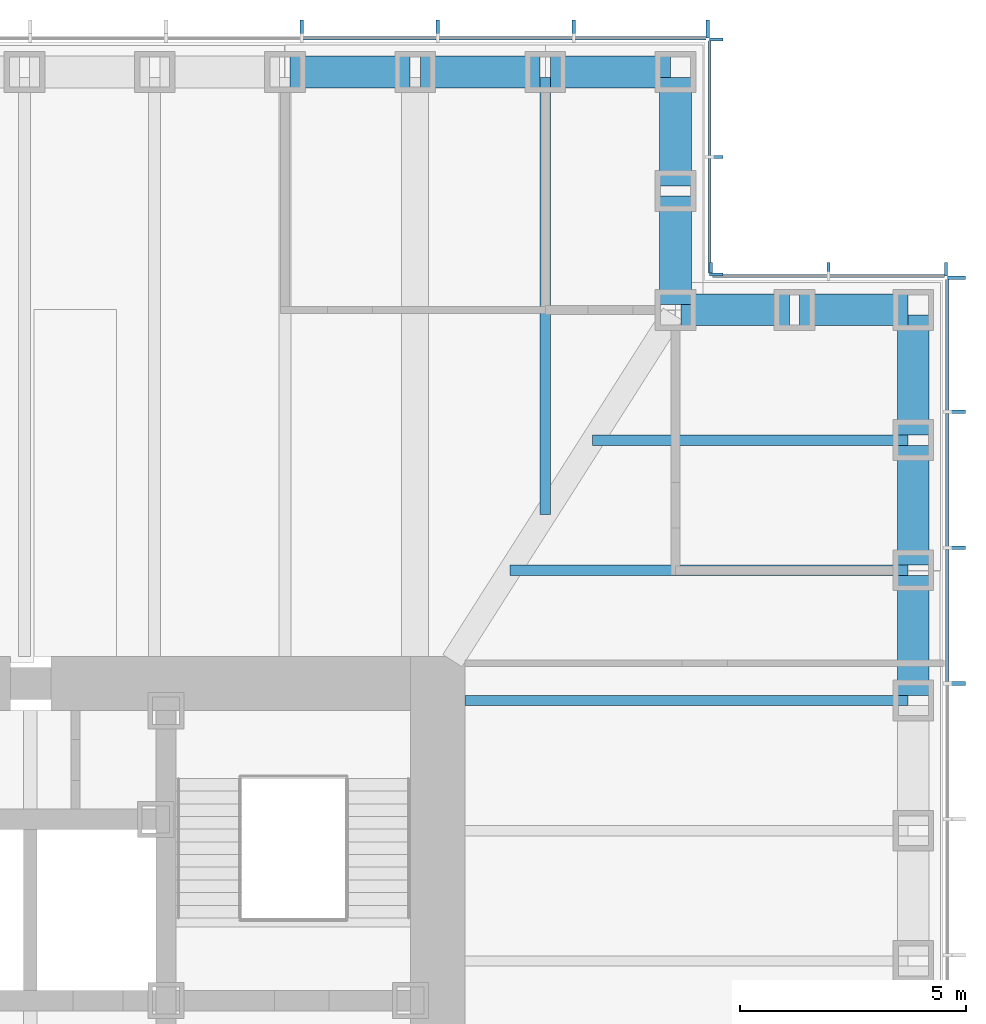
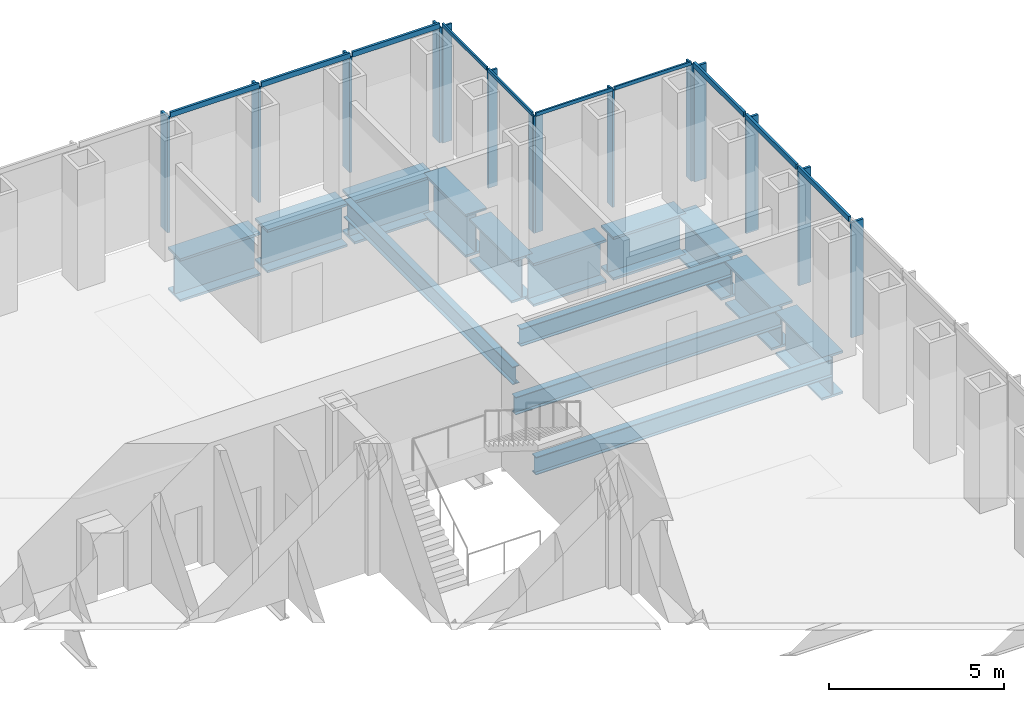
# One storey, part 6 of 17: 24 members, 14 beams, 4 elements without a shape of their own.
"""IFC4 building model written with IfcOpenShell, lengths in metres."""

import ifcopenshell
import ifcopenshell.guid

model = None  # the IFC model being written
_history = None  # IfcOwnerHistory: only IFC2X3 demands one
_inside = {}  # id of a spatial element -> (the spatial element, [elements in it])
_under = {}  # id of a project, library or spatial element -> (it, [spatial elements below it])
_declared = {}  # id of a project -> (the project, [libraries it declares])
_typed = {}  # id of a type object -> (the type object, [elements of that type])
_made_of = {}  # id of a material, layer set ... -> (it, [elements and type objects made of it])


def new_model(schema):
    """Start an empty IFC model of exactly this schema.

    Asked for "IFC4X3", IfcOpenShell would pick the latest addendum, in which some entities
    have other attributes; the version numbers below select the first issue.
    IFC2X3 requires an IfcOwnerHistory on every rooted entity: one is made here for all.
    """
    global model, _history
    if schema == "IFC4X3":
        model = ifcopenshell.file(schema_version=(4, 3, 0, 0))
    else:
        model = ifcopenshell.file(schema=schema)
    _inside.clear()
    _under.clear()
    _declared.clear()
    _typed.clear()
    _made_of.clear()
    _history = None
    if model.schema == "IFC2X3":
        org = make("IfcOrganization", Name="unknown")
        user = make(
            "IfcPersonAndOrganization",
            ThePerson=make("IfcPerson", FamilyName="unknown"),
            TheOrganization=org,
        )
        app = make(
            "IfcApplication",
            ApplicationDeveloper=org,
            Version="unknown",
            ApplicationFullName="unknown",
            ApplicationIdentifier="unknown",
        )
        _history = make(
            "IfcOwnerHistory",
            OwningUser=user,
            OwningApplication=app,
            ChangeAction="ADDED",
            CreationDate=0,
        )
    return model


def make(cls, **values):
    """One entity of the class cls with the attributes given. An attribute that is None is left unset."""
    return model.create_entity(
        cls, **{name: value for name, value in values.items() if value is not None}
    )


def rooted(cls, **values):
    """An entity with a GlobalId (a new one), such as an element, a storey or a relation."""
    return make(cls, GlobalId=ifcopenshell.guid.new(), OwnerHistory=_history, **values)


def si_unit(unit_type, name, prefix=None):
    """IfcSIUnit, for example si_unit("LENGTHUNIT", "METRE", prefix="MILLI")."""
    return make("IfcSIUnit", UnitType=unit_type, Prefix=prefix, Name=name)


def assignment(units):
    """IfcUnitAssignment: the units of a project."""
    return None if units is None else make("IfcUnitAssignment", Units=units)


def point(xyz):
    """IfcCartesianPoint."""
    return None if xyz is None else make("IfcCartesianPoint", Coordinates=xyz)


def direction(xyz):
    """IfcDirection."""
    return None if xyz is None else make("IfcDirection", DirectionRatios=xyz)


def frame(location, z_axis=None, x_axis=None):
    """IfcAxis2Placement3D, a coordinate frame: its origin and axes. An axis left out is left unset."""
    return make(
        "IfcAxis2Placement3D",
        Location=point(location),
        Axis=direction(z_axis),
        RefDirection=direction(x_axis),
    )


def frame_2d(location, x_axis=None):
    """IfcAxis2Placement2D, a coordinate frame in the plane: its origin and x axis."""
    return make(
        "IfcAxis2Placement2D", Location=point(location), RefDirection=direction(x_axis)
    )


def origin():
    """The frame at (0, 0, 0) with its axes left unset."""
    return frame((0.0, 0.0, 0.0))


def origin_2d():
    """The frame at (0, 0) in the plane with its x axis left unset."""
    return frame_2d((0.0, 0.0))


def place(relative_to, where):
    """IfcLocalPlacement: puts the frame where relative to a parent placement (None: the world)."""
    return make(
        "IfcLocalPlacement", PlacementRelTo=relative_to, RelativePlacement=where
    )


def context(
    kind, dimensions, precision=None, world=None, true_north=None, identifier=None
):
    """IfcGeometricRepresentationContext, for example the 3D "Model" context."""
    return make(
        "IfcGeometricRepresentationContext",
        ContextIdentifier=identifier,
        ContextType=kind,
        CoordinateSpaceDimension=dimensions,
        Precision=precision,
        WorldCoordinateSystem=world,
        TrueNorth=true_north,
    )


def subcontext(parent, identifier, kind, view, scale=None):
    """IfcGeometricRepresentationSubContext, for example "Body" below "Model"."""
    return make(
        "IfcGeometricRepresentationSubContext",
        ContextIdentifier=identifier,
        ContextType=kind,
        ParentContext=parent,
        TargetScale=scale,
        TargetView=view,
    )


def project(units=None, contexts=None):
    """IfcProject with its units and contexts."""
    return rooted(
        "IfcProject",
        Name="project",
        RepresentationContexts=contexts,
        UnitsInContext=assignment(units),
    )


def spatial(cls, under=None, at=None, **own):
    """A site, building, storey or space (cls), placed at a placement, below another one or the project."""
    s = rooted(cls, ObjectPlacement=at, **own)
    if under is not None:
        _under.setdefault(under.id(), (under, []))[1].append(s)
    return s


def profile(cls, at=None, kind="AREA", **sizes):
    """A parametric profile (cls). Its sizes go by their IFC names, for example OverallWidth=200.0."""
    return make(cls, ProfileType=kind, Position=at, **sizes)


def rectangle(**sizes):
    """IfcRectangleProfileDef."""
    return profile("IfcRectangleProfileDef", **sizes)


def i_section(**sizes):
    """IfcIShapeProfileDef."""
    return profile("IfcIShapeProfileDef", **sizes)


def extrude(swept, where, along, depth):
    """IfcExtrudedAreaSolid: the profile swept, set in the frame where, extruded along a direction by depth."""
    return make(
        "IfcExtrudedAreaSolid",
        SweptArea=swept,
        Position=where,
        ExtrudedDirection=direction(along),
        Depth=depth,
    )


def shape(context_of_items, identifier, shape_type, items):
    """IfcShapeRepresentation: the items that make up one representation, for example the "Body"."""
    return make(
        "IfcShapeRepresentation",
        ContextOfItems=context_of_items,
        RepresentationIdentifier=identifier,
        RepresentationType=shape_type,
        Items=items,
    )


def material(Name=None, Category=None):
    """IfcMaterial."""
    return make("IfcMaterial", Name=Name, Category=Category)


def material_profile(
    of_material, cross_section, Name=None, Category=None, Priority=None
):
    """IfcMaterialProfile: a cross section and its material."""
    return make(
        "IfcMaterialProfile",
        Name=Name,
        Material=of_material,
        Profile=cross_section,
        Priority=Priority,
        Category=Category,
    )


def profile_set(profiles, Name=None, composite=None):
    """IfcMaterialProfileSet."""
    return make(
        "IfcMaterialProfileSet",
        Name=Name,
        MaterialProfiles=profiles,
        CompositeProfile=composite,
    )


def made_of(thing, what):
    """Note that an element or type object is made of a material, layer set ...; save() writes the relation."""
    if what is not None:
        _made_of.setdefault(what.id(), (what, []))[1].append(thing)
    return thing


def type_object(cls, material=None, **own):
    """A type object (cls), such as IfcWallType, which elements share."""
    return made_of(rooted(cls, **own), material)


def element(
    cls,
    number,
    at=None,
    inside=None,
    cuts=None,
    type_object=None,
    material=None,
    context=None,
    identifier="Body",
    shape_type=None,
    held_by="IfcProductDefinitionShape",
    body=None,
    shapes=None,
    **own,
):
    """One element of the class cls, such as IfcWall. Its Tag is "e" and its number.

    at: its placement. inside: the storey or other place that contains it. cuts: it is an
    opening in that element (IfcRelVoidsElement). A single representation is given by context,
    identifier, shape_type and body (its items); several are given by shapes. held_by: the class
    of the entity that holds the representations. save() writes the other relations.
    """
    e = rooted(cls, Tag="e%d" % number, ObjectPlacement=at, **own)
    if body is not None:
        shapes = [shape(context, identifier, shape_type, body)]
    if shapes is not None:
        e.Representation = make(held_by, Representations=shapes)
    if inside is not None:
        _inside.setdefault(inside.id(), (inside, []))[1].append(e)
    if cuts is not None:
        rooted(
            "IfcRelVoidsElement", RelatingBuildingElement=cuts, RelatedOpeningElement=e
        )
    if type_object is not None:
        _typed.setdefault(type_object.id(), (type_object, []))[1].append(e)
    return made_of(e, material)


def aggregate(whole, parts):
    """IfcRelAggregates: a whole, such as a stair, and the parts it consists of."""
    return rooted("IfcRelAggregates", RelatingObject=whole, RelatedObjects=parts)


def save(model, path):
    """Write the relations noted so far, then the file.

    IfcRelAggregates (storeys below a building ...), IfcRelContainedInSpatialStructure (elements
    in a storey), IfcRelDefinesByType, IfcRelAssociatesMaterial and IfcRelDeclares: one each for
    every whole, place, type object, material and project.
    """
    for whole, parts in _under.values():
        aggregate(whole, parts)
    for where, things in _inside.values():
        rooted(
            "IfcRelContainedInSpatialStructure",
            RelatedElements=things,
            RelatingStructure=where,
        )
    for kind, things in _typed.values():
        rooted("IfcRelDefinesByType", RelatedObjects=things, RelatingType=kind)
    for what, things in _made_of.values():
        rooted("IfcRelAssociatesMaterial", RelatedObjects=things, RelatingMaterial=what)
    for by, libraries in _declared.values():
        rooted("IfcRelDeclares", RelatingContext=by, RelatedDefinitions=libraries)
    model.write(path)


model = new_model("IFC4")

# Units and contexts
model_context = context("Model", 3, precision=1e-05, world=origin(), true_north=direction((0.0, 1.0)))
body_context = subcontext(model_context, "Body", "Model", "MODEL_VIEW")
ifc_project = project(units=[si_unit("LENGTHUNIT", "METRE"), si_unit("AREAUNIT", "SQUARE_METRE"), si_unit("VOLUMEUNIT", "CUBIC_METRE"), si_unit("PLANEANGLEUNIT", "RADIAN"), si_unit("MASSUNIT", "GRAM", prefix="KILO")], contexts=[model_context])

# Site, building, storey
site_placement = place(None, origin())
site = spatial("IfcSite", under=ifc_project, at=site_placement, CompositionType="ELEMENT")
building_placement = place(site_placement, origin())
building = spatial("IfcBuilding", under=site, at=building_placement, Name="Daluyong Arena Tower", CompositionType="ELEMENT")
storey_placement = place(building_placement, frame((0.0, 0.0, 158.5)))
storey = spatial("IfcBuildingStorey", under=building, at=storey_placement, Name="L35", CompositionType="ELEMENT", Elevation=158.5)

# Curtain wall, members
ifc_material_1 = material(Name="Bronze anodised aluminium and glass", Category="aluminium")
curtain_wall_type_1 = type_object("IfcCurtainWallType", Name="Curtain wall CW2", PredefinedType="USERDEFINED", material=ifc_material_1)
curtain_wall_1_placement = place(storey_placement, origin())
curtain_wall_1 = element("IfcCurtainWall", 1, at=curtain_wall_1_placement, inside=storey, type_object=curtain_wall_type_1, Name="curtain wall L35 E", ObjectType="UNITISED CURTAIN WALL", PredefinedType="USERDEFINED")
ifc_material_2 = material(Name="Bronze anodised aluminium fin", Category="aluminium")
ifc_material_profile_1 = material_profile(ifc_material_2, rectangle(XDim=0.39990234375, YDim=0.080078125, at=origin_2d()))
ifc_profile_set_1 = profile_set([ifc_material_profile_1], Name="Bronze anodised aluminium fin")
member_type_1 = type_object("IfcMemberType", Name="CW2 bronze fin 400x80", PredefinedType="MULLION", material=ifc_profile_set_1)
member_1_placement = place(storey_placement, frame((79.449951171875, 89.0, 0.0), z_axis=(0.0, 0.0, 1.0), x_axis=(-1.0, 0.0, 0.0)))
member_1 = element("IfcMember", 2, at=member_1_placement, type_object=member_type_1, Name="curtain wall L35 E fin 10", PredefinedType="MULLION", context=body_context, shape_type="SweptSolid", body=[
    extrude(rectangle(XDim=0.39990234375, YDim=0.080078125, at=origin_2d()), origin(), (0.0, 0.0, 1.0), 4.02001953125),
])
member_2_placement = place(storey_placement, frame((79.449951171875, 92.0, 0.0), z_axis=(0.0, 0.0, 1.0), x_axis=(-1.0, 0.0, 0.0)))
member_2 = element("IfcMember", 3, at=member_2_placement, type_object=member_type_1, Name="curtain wall L35 E fin 11", PredefinedType="MULLION", context=body_context, shape_type="SweptSolid", body=[
    extrude(rectangle(XDim=0.39990234375, YDim=0.080078125, at=origin_2d()), origin(), (0.0, 0.0, 1.0), 4.02001953125),
])
member_3_placement = place(storey_placement, frame((79.449951171875, 95.0, 0.0), z_axis=(0.0, 0.0, 1.0), x_axis=(-1.0, 0.0, 0.0)))
member_3 = element("IfcMember", 4, at=member_3_placement, type_object=member_type_1, Name="curtain wall L35 E fin 12", PredefinedType="MULLION", context=body_context, shape_type="SweptSolid", body=[
    extrude(rectangle(XDim=0.39990234375, YDim=0.080078125, at=origin_2d()), origin(), (0.0, 0.0, 1.0), 4.02001953125),
])
member_4_placement = place(storey_placement, frame((79.449951171875, 97.9599609375, 0.0), z_axis=(0.0, 0.0, 1.0), x_axis=(-1.0, 0.0, 0.0)))
member_4 = element("IfcMember", 5, at=member_4_placement, type_object=member_type_1, Name="curtain wall L35 E fin 13", PredefinedType="MULLION", context=body_context, shape_type="SweptSolid", body=[
    extrude(rectangle(XDim=0.39990234375, YDim=0.080078125, at=origin_2d()), origin(), (0.0, 0.0, 1.0), 4.02001953125),
])

curtain_wall_2_placement = place(storey_placement, origin())
curtain_wall_2 = element("IfcCurtainWall", 6, at=curtain_wall_2_placement, inside=storey, type_object=curtain_wall_type_1, Name="curtain wall L35 N", ObjectType="UNITISED CURTAIN WALL", PredefinedType="USERDEFINED")
member_5_placement = place(storey_placement, frame((73.9599609375, 103.449951171875, 0.0), z_axis=(0.0, 0.0, 1.0), x_axis=(0.0, -1.0, 0.0)))
member_5 = element("IfcMember", 7, at=member_5_placement, type_object=member_type_1, Name="curtain wall L35 N fin 1", PredefinedType="MULLION", context=body_context, shape_type="SweptSolid", body=[
    extrude(rectangle(XDim=0.39990234375, YDim=0.080078125, at=origin_2d()), origin(), (0.0, 0.0, 1.0), 4.02001953125),
])
member_6_placement = place(storey_placement, frame((71.0, 103.449951171875, 0.0), z_axis=(0.0, 0.0, 1.0), x_axis=(0.0, -1.0, 0.0)))
member_6 = element("IfcMember", 8, at=member_6_placement, type_object=member_type_1, Name="curtain wall L35 N fin 2", PredefinedType="MULLION", context=body_context, shape_type="SweptSolid", body=[
    extrude(rectangle(XDim=0.39990234375, YDim=0.080078125, at=origin_2d()), origin(), (0.0, 0.0, 1.0), 4.02001953125),
])
member_7_placement = place(storey_placement, frame((68.0, 103.449951171875, 0.0), z_axis=(0.0, 0.0, 1.0), x_axis=(0.0, -1.0, 0.0)))
member_7 = element("IfcMember", 9, at=member_7_placement, type_object=member_type_1, Name="curtain wall L35 N fin 3", PredefinedType="MULLION", context=body_context, shape_type="SweptSolid", body=[
    extrude(rectangle(XDim=0.39990234375, YDim=0.080078125, at=origin_2d()), origin(), (0.0, 0.0, 1.0), 4.02001953125),
])
member_8_placement = place(storey_placement, frame((65.0, 103.449951171875, 0.0), z_axis=(0.0, 0.0, 1.0), x_axis=(0.0, -1.0, 0.0)))
member_8 = element("IfcMember", 10, at=member_8_placement, type_object=member_type_1, Name="curtain wall L35 N fin 4", PredefinedType="MULLION", context=body_context, shape_type="SweptSolid", body=[
    extrude(rectangle(XDim=0.39990234375, YDim=0.080078125, at=origin_2d()), origin(), (0.0, 0.0, 1.0), 4.02001953125),
])

# Member
ifc_material_3 = material(Name="Bronze anodised aluminium", Category="aluminium")
ifc_material_profile_2 = material_profile(ifc_material_3, rectangle(XDim=0.080078125, YDim=0.179931640625, at=origin_2d()))
ifc_profile_set_2 = profile_set([ifc_material_profile_2], Name="Bronze anodised aluminium")
member_type_2 = type_object("IfcMemberType", Name="CW2 stack transom 180x80", PredefinedType="USERDEFINED", material=ifc_profile_set_2)
member_9_placement = place(storey_placement, frame((79.25, 89.0400390625, 4.110107421875), z_axis=(0.0, 1.0, 0.0), x_axis=(-1.0, 0.0, 0.0)))
member_9 = element("IfcMember", 11, at=member_9_placement, type_object=member_type_2, Name="curtain wall L35 E transom 10", ObjectType="TRANSOM", PredefinedType="USERDEFINED", context=body_context, shape_type="SweptSolid", body=[
    extrude(rectangle(XDim=0.080078125, YDim=0.179931640625, at=origin_2d()), origin(), (0.0, 0.0, 1.0), 2.919921875),
])

member_10_placement = place(storey_placement, frame((79.25, 92.0400390625, 4.110107421875), z_axis=(0.0, 1.0, 0.0), x_axis=(-1.0, 0.0, 0.0)))
member_10 = element("IfcMember", 12, at=member_10_placement, type_object=member_type_2, Name="curtain wall L35 E transom 11", ObjectType="TRANSOM", PredefinedType="USERDEFINED", context=body_context, shape_type="SweptSolid", body=[
    extrude(rectangle(XDim=0.080078125, YDim=0.179931640625, at=origin_2d()), origin(), (0.0, 0.0, 1.0), 2.919921875),
])

member_11_placement = place(storey_placement, frame((79.25, 95.0400390625, 4.110107421875), z_axis=(0.0, 1.0, 0.0), x_axis=(-1.0, 0.0, 0.0)))
member_11 = element("IfcMember", 13, at=member_11_placement, type_object=member_type_2, Name="curtain wall L35 E transom 12", ObjectType="TRANSOM", PredefinedType="USERDEFINED", context=body_context, shape_type="SweptSolid", body=[
    extrude(rectangle(XDim=0.080078125, YDim=0.179931640625, at=origin_2d()), origin(), (0.0, 0.0, 1.0), 2.8798828125),
])

aggregate(curtain_wall_1, [member_1, member_2, member_3, member_4, member_9, member_10, member_11])

member_12_placement = place(storey_placement, frame((73.919921875, 103.25, 4.110107421875), z_axis=(-1.0, 0.0, 0.0), x_axis=(0.0, -1.0, 0.0)))
member_12 = element("IfcMember", 14, at=member_12_placement, type_object=member_type_2, Name="curtain wall L35 N transom 1", ObjectType="TRANSOM", PredefinedType="USERDEFINED", context=body_context, shape_type="SweptSolid", body=[
    extrude(rectangle(XDim=0.080078125, YDim=0.179931640625, at=origin_2d()), origin(), (0.0, 0.0, 1.0), 2.8798828125),
])

member_13_placement = place(storey_placement, frame((70.9599609375, 103.25, 4.110107421875), z_axis=(-1.0, 0.0, 0.0), x_axis=(0.0, -1.0, 0.0)))
member_13 = element("IfcMember", 15, at=member_13_placement, type_object=member_type_2, Name="curtain wall L35 N transom 2", ObjectType="TRANSOM", PredefinedType="USERDEFINED", context=body_context, shape_type="SweptSolid", body=[
    extrude(rectangle(XDim=0.080078125, YDim=0.179931640625, at=origin_2d()), origin(), (0.0, 0.0, 1.0), 2.919921875),
])

member_14_placement = place(storey_placement, frame((67.9599609375, 103.25, 4.110107421875), z_axis=(-1.0, 0.0, 0.0), x_axis=(0.0, -1.0, 0.0)))
member_14 = element("IfcMember", 16, at=member_14_placement, type_object=member_type_2, Name="curtain wall L35 N transom 3", ObjectType="TRANSOM", PredefinedType="USERDEFINED", context=body_context, shape_type="SweptSolid", body=[
    extrude(rectangle(XDim=0.080078125, YDim=0.179931640625, at=origin_2d()), origin(), (0.0, 0.0, 1.0), 2.919921875),
])

aggregate(curtain_wall_2, [member_5, member_6, member_7, member_8, member_12, member_13, member_14])

# Curtain wall, members
ifc_material_4 = material(Name="Bronze anodised aluminium and glass", Category="aluminium")
curtain_wall_type_2 = type_object("IfcCurtainWallType", Name="Curtain wall CW7", PredefinedType="USERDEFINED", material=ifc_material_4)
curtain_wall_3_placement = place(storey_placement, origin())
curtain_wall_3 = element("IfcCurtainWall", 17, at=curtain_wall_3_placement, inside=storey, type_object=curtain_wall_type_2, Name="curtain wall L35 NE-N", ObjectType="UNITISED CURTAIN WALL", PredefinedType="USERDEFINED")
ifc_material_5 = material(Name="Bronze anodised aluminium fin", Category="aluminium")
ifc_material_profile_3 = material_profile(ifc_material_5, rectangle(XDim=0.300048828125, YDim=0.06005859375, at=origin_2d()))
ifc_profile_set_3 = profile_set([ifc_material_profile_3], Name="Bronze anodised aluminium fin")
member_type_3 = type_object("IfcMemberType", Name="CW7 bronze fin 300x60", PredefinedType="MULLION", material=ifc_profile_set_3)
member_15_placement = place(storey_placement, frame((79.219970703125, 98.14990234375, 0.0), z_axis=(0.0, 0.0, 1.0), x_axis=(0.0, -1.0, 0.0)))
member_15 = element("IfcMember", 18, at=member_15_placement, type_object=member_type_3, Name="curtain wall L35 NE-N fin 1", PredefinedType="MULLION", context=body_context, shape_type="SweptSolid", body=[
    extrude(rectangle(XDim=0.300048828125, YDim=0.06005859375, at=origin_2d()), origin(), (0.0, 0.0, 1.0), 4.080078125),
])
member_16_placement = place(storey_placement, frame((76.625, 98.14990234375, 0.0), z_axis=(0.0, 0.0, 1.0), x_axis=(0.0, -1.0, 0.0)))
member_16 = element("IfcMember", 19, at=member_16_placement, type_object=member_type_3, Name="curtain wall L35 NE-N fin 2", PredefinedType="MULLION", context=body_context, shape_type="SweptSolid", body=[
    extrude(rectangle(XDim=0.300048828125, YDim=0.06005859375, at=origin_2d()), origin(), (0.0, 0.0, 1.0), 4.080078125),
])
member_17_placement = place(storey_placement, frame((74.030029296875, 98.14990234375, 0.0), z_axis=(0.0, 0.0, 1.0), x_axis=(0.0, -1.0, 0.0)))
member_17 = element("IfcMember", 20, at=member_17_placement, type_object=member_type_3, Name="curtain wall L35 NE-N fin 3", PredefinedType="MULLION", context=body_context, shape_type="SweptSolid", body=[
    extrude(rectangle(XDim=0.300048828125, YDim=0.06005859375, at=origin_2d()), origin(), (0.0, 0.0, 1.0), 4.080078125),
])

curtain_wall_4_placement = place(storey_placement, origin())
curtain_wall_4 = element("IfcCurtainWall", 21, at=curtain_wall_4_placement, inside=storey, type_object=curtain_wall_type_2, Name="curtain wall L35 NE-E", ObjectType="UNITISED CURTAIN WALL", PredefinedType="USERDEFINED")
member_18_placement = place(storey_placement, frame((74.14990234375, 98.030029296875, 0.0), z_axis=(0.0, 0.0, 1.0), x_axis=(-1.0, 0.0, 0.0)))
member_18 = element("IfcMember", 22, at=member_18_placement, type_object=member_type_3, Name="curtain wall L35 NE-E fin 1", PredefinedType="MULLION", context=body_context, shape_type="SweptSolid", body=[
    extrude(rectangle(XDim=0.300048828125, YDim=0.06005859375, at=origin_2d()), origin(), (0.0, 0.0, 1.0), 4.080078125),
])
member_19_placement = place(storey_placement, frame((74.14990234375, 100.625, 0.0), z_axis=(0.0, 0.0, 1.0), x_axis=(-1.0, 0.0, 0.0)))
member_19 = element("IfcMember", 23, at=member_19_placement, type_object=member_type_3, Name="curtain wall L35 NE-E fin 2", PredefinedType="MULLION", context=body_context, shape_type="SweptSolid", body=[
    extrude(rectangle(XDim=0.300048828125, YDim=0.06005859375, at=origin_2d()), origin(), (0.0, 0.0, 1.0), 4.080078125),
])
member_20_placement = place(storey_placement, frame((74.14990234375, 103.219970703125, 0.0), z_axis=(0.0, 0.0, 1.0), x_axis=(-1.0, 0.0, 0.0)))
member_20 = element("IfcMember", 24, at=member_20_placement, type_object=member_type_3, Name="curtain wall L35 NE-E fin 3", PredefinedType="MULLION", context=body_context, shape_type="SweptSolid", body=[
    extrude(rectangle(XDim=0.300048828125, YDim=0.06005859375, at=origin_2d()), origin(), (0.0, 0.0, 1.0), 4.080078125),
])

# Member
ifc_material_6 = material(Name="Bronze anodised aluminium", Category="aluminium")
ifc_material_profile_4 = material_profile(ifc_material_6, rectangle(XDim=0.06005859375, YDim=0.1201171875, at=origin_2d()))
ifc_profile_set_4 = profile_set([ifc_material_profile_4], Name="Bronze anodised aluminium")
member_type_4 = type_object("IfcMemberType", Name="CW7 stack transom 120x60", PredefinedType="USERDEFINED", material=ifc_profile_set_4)
member_21_placement = place(storey_placement, frame((79.18994140625, 98.0, 4.139892578125), z_axis=(-1.0, 0.0, 0.0), x_axis=(0.0, -1.0, 0.0)))
member_21 = element("IfcMember", 25, at=member_21_placement, type_object=member_type_4, Name="curtain wall L35 NE-N transom 1", ObjectType="TRANSOM", PredefinedType="USERDEFINED", context=body_context, shape_type="SweptSolid", body=[
    extrude(rectangle(XDim=0.06005859375, YDim=0.1201171875, at=origin_2d()), origin(), (0.0, 0.0, 1.0), 2.534912109375),
])

member_22_placement = place(storey_placement, frame((76.594970703125, 98.0, 4.139892578125), z_axis=(-1.0, 0.0, 0.0), x_axis=(0.0, -1.0, 0.0)))
member_22 = element("IfcMember", 26, at=member_22_placement, type_object=member_type_4, Name="curtain wall L35 NE-N transom 2", ObjectType="TRANSOM", PredefinedType="USERDEFINED", context=body_context, shape_type="SweptSolid", body=[
    extrude(rectangle(XDim=0.06005859375, YDim=0.1201171875, at=origin_2d()), origin(), (0.0, 0.0, 1.0), 2.534912109375),
])

aggregate(curtain_wall_3, [member_15, member_16, member_17, member_21, member_22])

member_23_placement = place(storey_placement, frame((74.0, 98.06005859375, 4.139892578125), z_axis=(0.0, 1.0, 0.0), x_axis=(-1.0, 0.0, 0.0)))
member_23 = element("IfcMember", 27, at=member_23_placement, type_object=member_type_4, Name="curtain wall L35 NE-E transom 1", ObjectType="TRANSOM", PredefinedType="USERDEFINED", context=body_context, shape_type="SweptSolid", body=[
    extrude(rectangle(XDim=0.06005859375, YDim=0.1201171875, at=origin_2d()), origin(), (0.0, 0.0, 1.0), 2.534912109375),
])

member_24_placement = place(storey_placement, frame((74.0, 100.655029296875, 4.139892578125), z_axis=(0.0, 1.0, 0.0), x_axis=(-1.0, 0.0, 0.0)))
member_24 = element("IfcMember", 28, at=member_24_placement, type_object=member_type_4, Name="curtain wall L35 NE-E transom 2", ObjectType="TRANSOM", PredefinedType="USERDEFINED", context=body_context, shape_type="SweptSolid", body=[
    extrude(rectangle(XDim=0.06005859375, YDim=0.1201171875, at=origin_2d()), origin(), (0.0, 0.0, 1.0), 2.534912109375),
])

aggregate(curtain_wall_4, [member_18, member_19, member_20, member_23, member_24])

# Beams
ifc_material_7 = material(Name="Steel ASTM A992 Grade 50", Category="steel")
ifc_material_profile_5 = material_profile(ifc_material_7, i_section(OverallWidth=0.22900390625, OverallDepth=0.612060546875, WebThickness=0.011962890625, FlangeThickness=0.01953125, at=origin_2d()))
ifc_profile_set_5 = profile_set([ifc_material_profile_5], Name="Steel ASTM A992 Grade 50")
beam_type_1 = type_object("IfcBeamType", Name="Floor beam W24X84", PredefinedType="BEAM", material=ifc_profile_set_5)
beam_1_placement = place(storey_placement, frame((78.385009765625, 88.625, -0.466064453125), z_axis=(-1.0, 0.0, 0.0), x_axis=(0.0, -1.0, 0.0)))
element("IfcBeam", 29, at=beam_1_placement, inside=storey, type_object=beam_type_1, Name="floor beam FB3", PredefinedType="BEAM", context=body_context, shape_type="SweptSolid", body=[
    extrude(i_section(OverallWidth=0.22900390625, OverallDepth=0.612060546875, WebThickness=0.011962890625, FlangeThickness=0.01953125, at=origin_2d()), origin(), (0.0, 0.0, 1.0), 9.784912109375),
])
beam_2_placement = place(storey_placement, frame((78.385009765625, 91.5, -0.466064453125), z_axis=(-1.0, 0.0, 0.0), x_axis=(0.0, -1.0, 0.0)))
element("IfcBeam", 30, at=beam_2_placement, inside=storey, type_object=beam_type_1, Name="floor beam FB3", PredefinedType="BEAM", context=body_context, shape_type="SweptSolid", body=[
    extrude(i_section(OverallWidth=0.22900390625, OverallDepth=0.612060546875, WebThickness=0.011962890625, FlangeThickness=0.01953125, at=origin_2d()), origin(), (0.0, 0.0, 1.0), 8.794189453125),
])
beam_3_placement = place(storey_placement, frame((78.385009765625, 94.375, -0.466064453125), z_axis=(-1.0, 0.0, 0.0), x_axis=(0.0, -1.0, 0.0)))
element("IfcBeam", 31, at=beam_3_placement, inside=storey, type_object=beam_type_1, Name="floor beam FB3", PredefinedType="BEAM", context=body_context, shape_type="SweptSolid", body=[
    extrude(i_section(OverallWidth=0.22900390625, OverallDepth=0.612060546875, WebThickness=0.011962890625, FlangeThickness=0.01953125, at=origin_2d()), origin(), (0.0, 0.0, 1.0), 6.964599609375),
])
beam_4_placement = place(storey_placement, frame((70.375, 102.385009765625, -0.466064453125), z_axis=(0.0, -1.0, 0.0), x_axis=(1.0, 0.0, 0.0)))
element("IfcBeam", 32, at=beam_4_placement, inside=storey, type_object=beam_type_1, Name="floor beam FB3", PredefinedType="BEAM", context=body_context, shape_type="SweptSolid", body=[
    extrude(i_section(OverallWidth=0.22900390625, OverallDepth=0.612060546875, WebThickness=0.011962890625, FlangeThickness=0.01953125, at=origin_2d()), origin(), (0.0, 0.0, 1.0), 9.65283203125),
])
ifc_material_8 = material(Name="Steel ASTM A572 Grade 50", Category="steel")
ifc_material_profile_6 = material_profile(ifc_material_8, i_section(OverallWidth=0.699951171875, OverallDepth=1.5, WebThickness=0.04, FlangeThickness=0.08, at=origin_2d()))
ifc_profile_set_6 = profile_set([ifc_material_profile_6], Name="Steel ASTM A572 Grade 50")
beam_type_2 = type_object("IfcBeamType", Name="Spandrel Z2 PG1500X700", PredefinedType="SPANDREL", material=ifc_profile_set_6)
for number, where, z_axis, x_axis, name in (
    (33, (78.5, 88.739990234375, -0.909912109375), (0.0, 1.0, 0.0), (-1.0, 0.0, 0.0), "spandrel z2 SB6"),
    (34, (78.5, 91.614990234375, -0.909912109375), (0.0, 1.0, 0.0), (-1.0, 0.0, 0.0), "spandrel z2 SB6"),
    (35, (78.5, 94.489990234375, -0.909912109375), (0.0, 1.0, 0.0), (-1.0, 0.0, 0.0), "spandrel z2 SB6"),
):
    element("IfcBeam", number, at=place(storey_placement, frame(where, z_axis=z_axis, x_axis=x_axis)), inside=storey, type_object=beam_type_2, Name=name, PredefinedType="SPANDREL", context=body_context, shape_type="SweptSolid", body=[
        extrude(i_section(OverallWidth=0.699951171875, OverallDepth=1.5, WebThickness=0.04, FlangeThickness=0.08, at=origin_2d()), origin(), (0.0, 0.0, 1.0), 2.64501953125),
    ])
for number, where, z_axis, x_axis, name in (
    (36, (78.385009765625, 97.25, -0.909912109375), (-1.0, 0.0, 0.0), (0.0, -1.0, 0.0), "spandrel z2 SB6"),
    (37, (75.760009765625, 97.25, -0.909912109375), (-1.0, 0.0, 0.0), (0.0, -1.0, 0.0), "spandrel z2 SB6"),
    (38, (73.25, 97.364990234375, -0.909912109375), (0.0, 1.0, 0.0), (-1.0, 0.0, 0.0), "spandrel z2 SB6"),
    (39, (73.25, 99.989990234375, -0.909912109375), (0.0, 1.0, 0.0), (-1.0, 0.0, 0.0), "spandrel z2 SB6"),
):
    element("IfcBeam", number, at=place(storey_placement, frame(where, z_axis=z_axis, x_axis=x_axis)), inside=storey, type_object=beam_type_2, Name=name, PredefinedType="SPANDREL", context=body_context, shape_type="SweptSolid", body=[
        extrude(i_section(OverallWidth=0.699951171875, OverallDepth=1.5, WebThickness=0.04, FlangeThickness=0.08, at=origin_2d()), origin(), (0.0, 0.0, 1.0), 2.39501953125),
    ])
for number, where, z_axis, x_axis, name in (
    (40, (73.135009765625, 102.5, -0.909912109375), (-1.0, 0.0, 0.0), (0.0, -1.0, 0.0), "spandrel z2 SB6"),
    (41, (70.260009765625, 102.5, -0.909912109375), (-1.0, 0.0, 0.0), (0.0, -1.0, 0.0), "spandrel z2 SB6"),
    (42, (67.385009765625, 102.5, -0.909912109375), (-1.0, 0.0, 0.0), (0.0, -1.0, 0.0), "spandrel z2 SB6"),
):
    element("IfcBeam", number, at=place(storey_placement, frame(where, z_axis=z_axis, x_axis=x_axis)), inside=storey, type_object=beam_type_2, Name=name, PredefinedType="SPANDREL", context=body_context, shape_type="SweptSolid", body=[
        extrude(i_section(OverallWidth=0.699951171875, OverallDepth=1.5, WebThickness=0.04, FlangeThickness=0.08, at=origin_2d()), origin(), (0.0, 0.0, 1.0), 2.64501953125),
    ])

save(model, "model.ifc")
